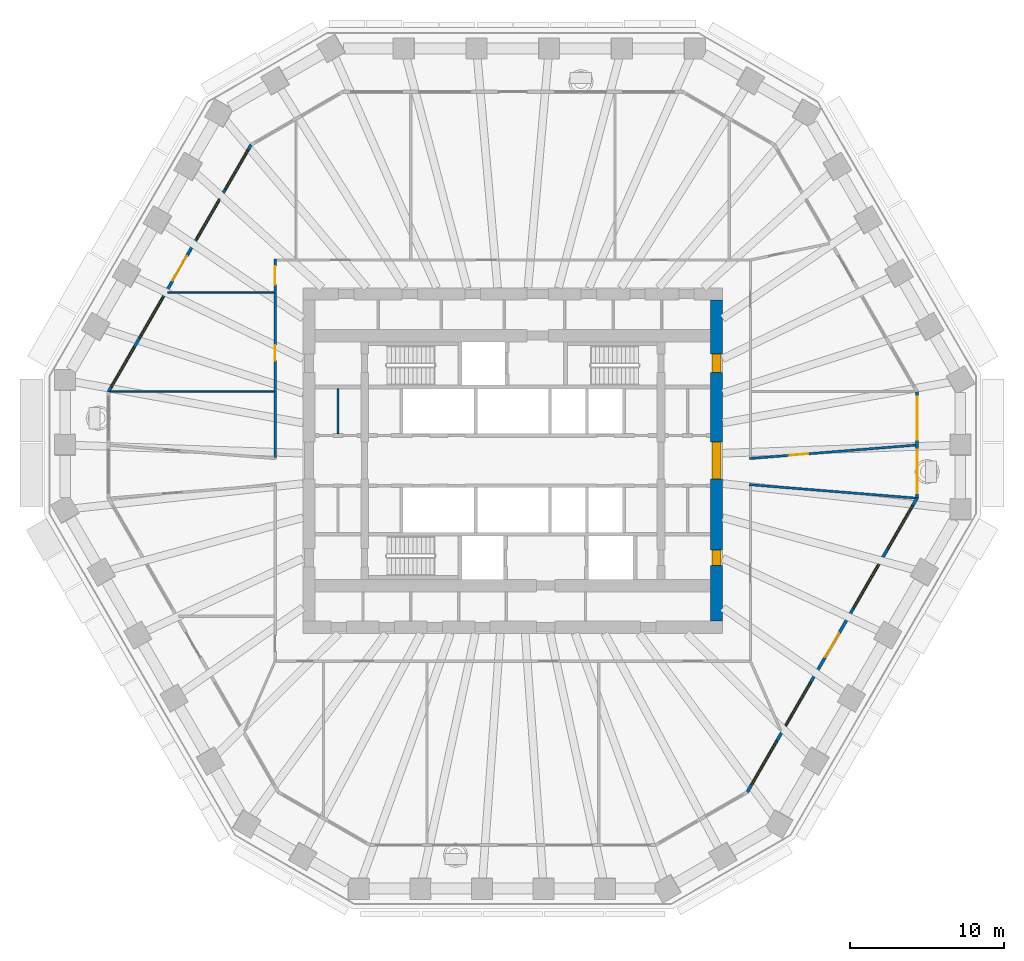
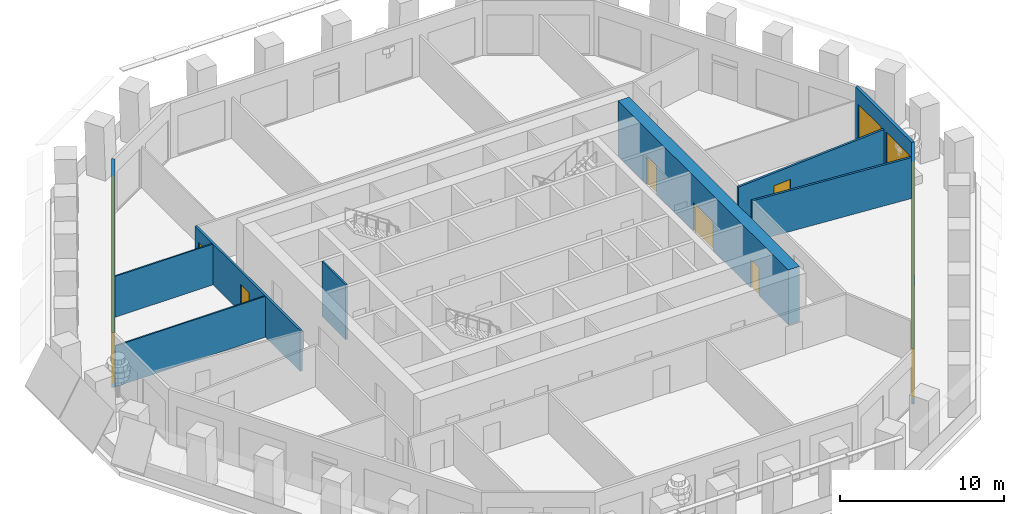
# One storey, part 6 of 13: 12 windows, 10 walls, 8 doors, 20 openings.
"""IFC4 building model written with IfcOpenShell, lengths in metres."""

from ifc_helpers import new_model, si_unit, direction, frame, frame_2d, origin, place, context, subcontext, project, spatial, polyline, rectangle, outline, extrude, material, layer, layer_set, type_object, element, fill, save


model = new_model("IFC4")

# Units and contexts
model_context = context("Model", 3, precision=1e-05, world=origin(), true_north=direction((0.0, 1.0)))
body_context = subcontext(model_context, "Body", "Model", "MODEL_VIEW")
ifc_project = project(units=[si_unit("LENGTHUNIT", "METRE"), si_unit("AREAUNIT", "SQUARE_METRE"), si_unit("VOLUMEUNIT", "CUBIC_METRE"), si_unit("PLANEANGLEUNIT", "RADIAN"), si_unit("MASSUNIT", "GRAM", prefix="KILO")], contexts=[model_context])

# Site, building, storey
site_placement = place(None, origin())
site = spatial("IfcSite", under=ifc_project, at=site_placement, CompositionType="ELEMENT")
building_placement = place(site_placement, origin())
building = spatial("IfcBuilding", under=site, at=building_placement, Name="Frailejon Research Tower", CompositionType="ELEMENT")
storey_placement = place(building_placement, frame((0.0, 0.0, 113.199951171875)))
storey = spatial("IfcBuildingStorey", under=building, at=storey_placement, Name="L24", CompositionType="ELEMENT", Elevation=113.199951171875)

# Wall
ifc_material_1 = material(Name="Plasterboard on steel studs", Category="steel")
ifc_layer_1 = layer(ifc_material_1, 0.125)
ifc_layer_set_1 = layer_set([ifc_layer_1], Name="Core partition 125")
wall_type_1 = type_object("IfcWallType", Name="Core partition 125", PredefinedType="PARTITIONING", material=ifc_layer_set_1)
wall_1_placement = place(storey_placement, frame((-11.324951171875, 1.75, 0.0), z_axis=(0.0, 0.0, 1.0), x_axis=(0.0, 1.0, 0.0)))
element("IfcWall", 1, at=wall_1_placement, inside=storey, type_object=wall_type_1, Name="Core partition", PredefinedType="PARTITIONING", context=body_context, shape_type="SweptSolid", body=[
    extrude(rectangle(XDim=2.89990234375, YDim=0.125, at=frame_2d((1.449951171875, 0.0))), origin(), (0.0, 0.0, 1.0), 4.10009765625),
])

# Wall, openings, doors
ifc_material_2 = material(Name="Concrete C70/85", Category="concrete")
ifc_layer_2 = layer(ifc_material_2, 0.800048828125)
ifc_layer_set_2 = layer_set([ifc_layer_2], Name="Core shear wall 800 C70/85")
wall_type_2 = type_object("IfcWallType", Name="Core shear wall 800 C70/85", PredefinedType="SHEAR", material=ifc_layer_set_2)
wall_2_placement = place(storey_placement, frame((13.199951171875, -10.39990234375, 0.0), z_axis=(0.0, 0.0, 1.0), x_axis=(0.0, 1.0, 0.0)))
wall_2 = element("IfcWall", 2, at=wall_2_placement, inside=storey, type_object=wall_type_2, Name="Core shear wall", PredefinedType="SHEAR", context=body_context, shape_type="SweptSolid", body=[
    extrude(rectangle(XDim=20.7998046875, YDim=0.800048828125, at=frame_2d((10.39990234375, 0.0))), origin(), (0.0, 0.0, 1.0), 4.10009765625),
])
opening_1_placement = place(wall_2_placement, frame((9.199951171875, 0.0, 0.0)))
opening_1 = element("IfcOpeningElement", 3, at=opening_1_placement, cuts=wall_2, Name="Opening D2", PredefinedType="OPENING", context=body_context, shape_type="SweptSolid", body=[
    extrude(rectangle(XDim=2.39990234375, YDim=2.10009765625, at=frame_2d((1.199951171875, 1.050048828125))), frame((0.0, 0.409912109375, 0.0), z_axis=(0.0, -1.0, 0.0), x_axis=(1.0, 0.0, 0.0)), (0.0, 0.0, 1.0), 0.820068359375),
])
opening_2_placement = place(wall_2_placement, frame((16.10009765625, 0.0, 0.0)))
opening_2 = element("IfcOpeningElement", 4, at=opening_2_placement, cuts=wall_2, Name="Opening D7", PredefinedType="OPENING", context=body_context, shape_type="SweptSolid", body=[
    extrude(rectangle(XDim=1.199951171875, YDim=2.10009765625, at=frame_2d((0.60009765625, 1.050048828125))), frame((0.0, 0.409912109375, 0.0), z_axis=(0.0, -1.0, 0.0), x_axis=(1.0, 0.0, 0.0)), (0.0, 0.0, 1.0), 0.820068359375),
])
opening_3_placement = place(wall_2_placement, frame((3.60009765625, 0.0, 0.0)))
opening_3 = element("IfcOpeningElement", 5, at=opening_3_placement, cuts=wall_2, Name="Opening D4", PredefinedType="OPENING", context=body_context, shape_type="SweptSolid", body=[
    extrude(rectangle(XDim=1.0, YDim=2.10009765625, at=frame_2d((0.5, 1.050048828125))), frame((0.0, 0.409912109375, 0.0), z_axis=(0.0, -1.0, 0.0), x_axis=(1.0, 0.0, 0.0)), (0.0, 0.0, 1.0), 0.820068359375),
])
ifc_material_3 = material(Name="Steel", Category="steel")
door_type_1 = type_object("IfcDoorType", Name="Lobby double door", OperationType="DOUBLE_DOOR_SINGLE_SWING", PredefinedType="DOOR", material=ifc_material_3)
door_1_placement = place(opening_1_placement, origin())
door_1 = element("IfcDoor", 6, at=door_1_placement, inside=storey, type_object=door_type_1, Name="Lobby door", OperationType="DOUBLE_DOOR_SINGLE_SWING", OverallHeight=2.10009765625, OverallWidth=2.39990234375, PredefinedType="DOOR", context=body_context, shape_type="SweptSolid", body=[
    extrude(rectangle(XDim=2.39990234375, YDim=2.10009765625, at=frame_2d((1.199951171875, 1.050048828125))), frame((0.0, 0.300048828125, 0.0), z_axis=(0.0, -1.0, 0.0), x_axis=(1.0, 0.0, 0.0)), (0.0, 0.0, 1.0), 0.60009765625),
])
fill(opening_1, door_1)
ifc_material_4 = material(Name="Steel", Category="steel")
door_type_2 = type_object("IfcDoorType", Name="Service door", OperationType="SINGLE_SWING_LEFT", PredefinedType="DOOR", material=ifc_material_4)
door_2_placement = place(opening_3_placement, origin())
door_2 = element("IfcDoor", 7, at=door_2_placement, inside=storey, type_object=door_type_2, Name="Store door", OperationType="SINGLE_SWING_LEFT", OverallHeight=2.10009765625, OverallWidth=1.0, PredefinedType="DOOR", context=body_context, shape_type="SweptSolid", body=[
    extrude(rectangle(XDim=1.0, YDim=2.10009765625, at=frame_2d((0.5, 1.050048828125))), frame((0.0, 0.300048828125, 0.0), z_axis=(0.0, -1.0, 0.0), x_axis=(1.0, 0.0, 0.0)), (0.0, 0.0, 1.0), 0.60009765625),
])
fill(opening_3, door_2)
ifc_material_5 = material(Name="Steel", Category="steel")
door_type_3 = type_object("IfcDoorType", Name="Stair exit door", OperationType="SINGLE_SWING_LEFT", PredefinedType="DOOR", material=ifc_material_5)
door_3_placement = place(opening_2_placement, origin())
door_3 = element("IfcDoor", 8, at=door_3_placement, inside=storey, type_object=door_type_3, Name="Stair exit door ST3", OperationType="SINGLE_SWING_LEFT", OverallHeight=2.10009765625, OverallWidth=1.199951171875, PredefinedType="DOOR", context=body_context, shape_type="SweptSolid", body=[
    extrude(rectangle(XDim=1.199951171875, YDim=2.10009765625, at=frame_2d((0.60009765625, 1.050048828125))), frame((0.0, 0.300048828125, 0.0), z_axis=(0.0, -1.0, 0.0), x_axis=(1.0, 0.0, 0.0)), (0.0, 0.0, 1.0), 0.60009765625),
])
fill(opening_2, door_3)

ifc_material_6 = material(Name="Gypsum board and masonry partition", Category="masonry")
ifc_layer_3 = layer(ifc_material_6, 0.14990234375)
ifc_layer_set_3 = layer_set([ifc_layer_3], Name="Corridor wall EI 60, gypsum on steel studs 150")
wall_type_3 = type_object("IfcWallType", Name="Corridor wall EI 60, gypsum on steel studs 150", PredefinedType="PARTITIONING", material=ifc_layer_set_3)
wall_3_placement = place(storey_placement, frame((-15.39990234375, 0.211181640625, 0.0), z_axis=(0.0, 0.0, 1.0), x_axis=(0.0, 1.0, 0.0)))
wall_3 = element("IfcWall", 9, at=wall_3_placement, inside=storey, type_object=wall_type_3, Name="T:IW:L24:005", PredefinedType="PARTITIONING", context=body_context, shape_type="SweptSolid", body=[
    extrude(rectangle(XDim=12.86376953125, YDim=0.14990234375, at=frame_2d((6.431884765625, 0.0))), origin(), (0.0, 0.0, 1.0), 3.050048828125),
])
opening_4_placement = place(wall_3_placement, frame((11.189697265625, 0.0, 0.0)))
opening_4 = element("IfcOpeningElement", 10, at=opening_4_placement, cuts=wall_3, Name="Opening D1605", PredefinedType="OPENING", context=body_context, shape_type="SweptSolid", body=[
    extrude(rectangle(XDim=1.199951171875, YDim=2.10009765625, at=frame_2d((0.60009765625, 1.050048828125))), frame((0.0, 0.0849609375, 0.0), z_axis=(0.0, -1.0, 0.0), x_axis=(1.0, 0.0, 0.0)), (0.0, 0.0, 1.0), 0.169921875),
])
opening_5_placement = place(wall_3_placement, frame((6.273681640625, 0.0, 0.0)))
opening_5 = element("IfcOpeningElement", 11, at=opening_5_placement, cuts=wall_3, Name="Opening D1606", PredefinedType="OPENING", context=body_context, shape_type="SweptSolid", body=[
    extrude(rectangle(XDim=1.0, YDim=2.10009765625, at=frame_2d((0.5, 1.050048828125))), frame((0.0, 0.0849609375, 0.0), z_axis=(0.0, -1.0, 0.0), x_axis=(1.0, 0.0, 0.0)), (0.0, 0.0, 1.0), 0.169921875),
])
ifc_material_7 = material(Name="Timber door leaf", Category="wood")
door_type_4 = type_object("IfcDoorType", Name="Door single leaf, timber, steel frame 1000", OperationType="NOTDEFINED", PredefinedType="DOOR", material=ifc_material_7)
door_4_placement = place(opening_5_placement, origin())
door_4 = element("IfcDoor", 12, at=door_4_placement, inside=storey, type_object=door_type_4, Name="D1606", OperationType="SINGLE_SWING_RIGHT", OverallHeight=2.10009765625, OverallWidth=1.0, PredefinedType="DOOR", context=body_context, shape_type="SweptSolid", body=[
    extrude(rectangle(XDim=1.0, YDim=2.10009765625, at=frame_2d((0.5, 1.050048828125))), frame((0.0, 0.02490234375, 0.0), z_axis=(0.0, -1.0, 0.0), x_axis=(1.0, 0.0, 0.0)), (0.0, 0.0, 1.0), 0.050048828125),
])
fill(opening_5, door_4)
ifc_material_8 = material(Name="Timber door leaf", Category="wood")
door_type_5 = type_object("IfcDoorType", Name="Door single leaf, timber, steel frame 1200", OperationType="NOTDEFINED", PredefinedType="DOOR", material=ifc_material_8)
door_5_placement = place(opening_4_placement, origin())
door_5 = element("IfcDoor", 13, at=door_5_placement, inside=storey, type_object=door_type_5, Name="D1605", OperationType="DOUBLE_DOOR_SINGLE_SWING", OverallHeight=2.10009765625, OverallWidth=1.199951171875, PredefinedType="DOOR", context=body_context, shape_type="SweptSolid", body=[
    extrude(rectangle(XDim=1.199951171875, YDim=2.10009765625, at=frame_2d((0.60009765625, 1.050048828125))), frame((0.0, 0.02490234375, 0.0), z_axis=(0.0, -1.0, 0.0), x_axis=(1.0, 0.0, 0.0)), (0.0, 0.0, 1.0), 0.050048828125),
])
fill(opening_4, door_5)

# Wall, opening, door
wall_4_placement = place(storey_placement, frame((15.3251953125, 0.130126953125, 0.0), z_axis=(0.0, 0.0, 1.0), x_axis=(0.996742849111, 0.08064547567, 0.0)))
wall_4 = element("IfcWall", 14, at=wall_4_placement, inside=storey, type_object=wall_type_3, Name="T:IW:L24:009", PredefinedType="PARTITIONING", context=body_context, shape_type="SweptSolid", body=[
    extrude(rectangle(XDim=10.810546875, YDim=0.14990234375, at=frame_2d((5.4052734375, 0.0))), origin(), (0.0, 0.0, 1.0), 3.050048828125),
])
opening_6_placement = place(wall_4_placement, frame((2.6337890625, 0.0, 0.0)))
opening_6 = element("IfcOpeningElement", 15, at=opening_6_placement, cuts=wall_4, Name="Opening D1599", PredefinedType="OPENING", context=body_context, shape_type="SweptSolid", body=[
    extrude(rectangle(XDim=1.199951171875, YDim=2.10009765625, at=frame_2d((0.60009765625, 1.050048828125))), frame((0.0, 0.0849609375, 0.0), z_axis=(0.0, -1.0, 0.0), x_axis=(1.0, 0.0, 0.0)), (0.0, 0.0, 1.0), 0.169921875),
])
door_6_placement = place(opening_6_placement, origin())
door_6 = element("IfcDoor", 16, at=door_6_placement, inside=storey, type_object=door_type_5, Name="D1599", OperationType="DOUBLE_DOOR_SINGLE_SWING", OverallHeight=2.10009765625, OverallWidth=1.199951171875, PredefinedType="DOOR", context=body_context, shape_type="SweptSolid", body=[
    extrude(rectangle(XDim=1.199951171875, YDim=2.10009765625, at=frame_2d((0.60009765625, 1.050048828125))), frame((0.0, 0.02490234375, 0.0), z_axis=(0.0, -1.0, 0.0), x_axis=(1.0, 0.0, 0.0)), (0.0, 0.0, 1.0), 0.050048828125),
])
fill(opening_6, door_6)

# Walls
wall_5_placement = place(storey_placement, frame((15.3251953125, -1.557861328125, 0.0), z_axis=(0.0, 0.0, 1.0), x_axis=(0.996743219483, -0.080640897899, 0.0)))
element("IfcWall", 17, at=wall_5_placement, inside=storey, type_object=wall_type_3, Name="T:IW:L24:010", PredefinedType="PARTITIONING", context=body_context, shape_type="SweptSolid", body=[
    extrude(rectangle(XDim=10.7900390625, YDim=0.14990234375, at=frame_2d((5.39501953125, 0.0))), origin(), (0.0, 0.0, 1.0), 3.050048828125),
])
ifc_material_9 = material(Name="Gypsum board and masonry partition", Category="masonry")
ifc_layer_4 = layer(ifc_material_9, 0.10009765625)
ifc_layer_set_4 = layer_set([ifc_layer_4], Name="Partition, gypsum on steel studs 100")
wall_type_4 = type_object("IfcWallType", Name="Partition, gypsum on steel studs 100", PredefinedType="PARTITIONING", material=ifc_layer_set_4)
wall_6_placement = place(storey_placement, frame((-26.069580078125, 4.482421875, 0.0), z_axis=(0.0, 0.0, 1.0), x_axis=(1.0, 0.0, 0.0)))
element("IfcWall", 18, at=wall_6_placement, inside=storey, type_object=wall_type_4, Name="T:IW:L24:020", PredefinedType="PARTITIONING", context=body_context, shape_type="SweptSolid", body=[
    extrude(rectangle(XDim=10.594482421875, YDim=0.10009765625, at=frame_2d((5.29736328125, 0.0))), origin(), (0.0, 0.0, 1.0), 3.050048828125),
])
wall_7_placement = place(storey_placement, frame((-22.3623046875, 10.90380859375, 0.0), z_axis=(0.0, 0.0, 1.0), x_axis=(1.0, 0.0, 0.0)))
element("IfcWall", 19, at=wall_7_placement, inside=storey, type_object=wall_type_4, Name="T:IW:L24:023", PredefinedType="PARTITIONING", context=body_context, shape_type="SweptSolid", body=[
    extrude(rectangle(XDim=6.88720703125, YDim=0.10009765625, at=frame_2d((3.443603515625, 0.0))), origin(), (0.0, 0.0, 1.0), 3.050048828125),
])

# Wall, openings, windows
ifc_material_10 = material(Name="Concrete C40/50 precast window wall panel", Category="concrete")
ifc_layer_5 = layer(ifc_material_10, 0.199951171875)
ifc_layer_set_5 = layer_set([ifc_layer_5], Name="Window wall 200")
wall_type_5 = type_object("IfcWallType", Name="Window wall 200", PredefinedType="SOLIDWALL", material=ifc_layer_set_5)
wall_8_placement = place(storey_placement, frame((26.20068359375, -2.419189453125, 0.0), z_axis=(0.0, 0.0, 1.0), x_axis=(0.0, 1.0, 0.0)))
wall_8 = element("IfcWall", 20, at=wall_8_placement, inside=storey, type_object=wall_type_5, Name="Exterior wall L24", PredefinedType="SOLIDWALL", context=body_context, shape_type="SweptSolid", body=[
    extrude(outline(polyline([(-0.02685546875, -0.10009765625), (1.1279296875, -0.10009765625), (2.28271484375, -0.10009765625), (3.4375, -0.10009765625), (4.592041015625, -0.10009765625), (5.746826171875, -0.10009765625), (6.901611328125, -0.10009765625), (6.847900390625, 0.10009765625), (5.7109375, 0.10009765625), (4.57421875, 0.10009765625), (3.4375, 0.10009765625), (2.300537109375, 0.10009765625), (1.16357421875, 0.10009765625), (0.02685546875, 0.10009765625), (-0.02685546875, -0.10009765625)])), origin(), (0.0, 0.0, 1.0), 4.10009765625),
])
opening_7_placement = place(wall_8_placement, frame((0.318603515625, 0.0, 0.10009765625)))
opening_7 = element("IfcOpeningElement", 21, at=opening_7_placement, cuts=wall_8, Name="Opening W3", PredefinedType="OPENING", context=body_context, shape_type="SweptSolid", body=[
    extrude(rectangle(XDim=2.800048828125, YDim=2.89990234375, at=frame_2d((1.39990234375, 1.449951171875))), frame((0.0, 0.10986328125, 0.0), z_axis=(0.0, -1.0, 0.0), x_axis=(1.0, 0.0, 0.0)), (0.0, 0.0, 1.0), 0.219970703125),
])
opening_8_placement = place(wall_8_placement, frame((3.756103515625, 0.0, 0.10009765625)))
opening_8 = element("IfcOpeningElement", 22, at=opening_8_placement, cuts=wall_8, Name="Opening W3", PredefinedType="OPENING", context=body_context, shape_type="SweptSolid", body=[
    extrude(rectangle(XDim=2.800048828125, YDim=2.89990234375, at=frame_2d((1.39990234375, 1.449951171875))), frame((0.0, 0.10986328125, 0.0), z_axis=(0.0, -1.0, 0.0), x_axis=(1.0, 0.0, 0.0)), (0.0, 0.0, 1.0), 0.219970703125),
])
ifc_material_11 = material(Name="Aluminium framed double glazing", Category="aluminium")
window_type_1 = type_object("IfcWindowType", Name="Window 2800x2900", PartitioningType="SINGLE_PANEL", PredefinedType="WINDOW", material=ifc_material_11)
window_1_placement = place(opening_7_placement, origin())
window_1 = element("IfcWindow", 23, at=window_1_placement, inside=storey, type_object=window_type_1, Name="Window L24", OverallHeight=2.89990234375, OverallWidth=2.800048828125, PartitioningType="SINGLE_PANEL", PredefinedType="WINDOW", context=body_context, shape_type="SweptSolid", body=[
    extrude(rectangle(XDim=2.800048828125, YDim=2.89990234375, at=frame_2d((1.39990234375, 1.449951171875))), frame((0.0, 0.030029296875, 0.0), z_axis=(0.0, -1.0, 0.0), x_axis=(1.0, 0.0, 0.0)), (0.0, 0.0, 1.0), 0.06005859375),
])
fill(opening_7, window_1)
window_2_placement = place(opening_8_placement, origin())
window_2 = element("IfcWindow", 24, at=window_2_placement, inside=storey, type_object=window_type_1, Name="Window L24", OverallHeight=2.89990234375, OverallWidth=2.800048828125, PartitioningType="SINGLE_PANEL", PredefinedType="WINDOW", context=body_context, shape_type="SweptSolid", body=[
    extrude(rectangle(XDim=2.800048828125, YDim=2.89990234375, at=frame_2d((1.39990234375, 1.449951171875))), frame((0.0, 0.030029296875, 0.0), z_axis=(0.0, -1.0, 0.0), x_axis=(1.0, 0.0, 0.0)), (0.0, 0.0, 1.0), 0.06005859375),
])
fill(opening_8, window_2)

# Wall, openings, door, windows
wall_9_placement = place(storey_placement, frame((-16.958984375, 20.462646484375, 0.0), z_axis=(0.0, 0.0, 1.0), x_axis=(-0.500000293238, -0.866025234483, 0.0)))
wall_9 = element("IfcWall", 25, at=wall_9_placement, inside=storey, type_object=wall_type_5, Name="Exterior wall L24", PredefinedType="SOLIDWALL", context=body_context, shape_type="SweptSolid", body=[
    extrude(outline(polyline([(-0.02685546875, -0.10009765625), (1.0029296875, -0.10009765625), (2.03271484375, -0.10009765625), (3.062744140625, -0.10009765625), (4.092529296875, -0.10009765625), (5.122314453125, -0.10009765625), (6.152099609375, -0.10009765625), (7.18212890625, -0.10009765625), (8.2119140625, -0.10009765625), (9.24169921875, -0.10009765625), (10.271484375, -0.10009765625), (11.30126953125, -0.10009765625), (12.331298828125, -0.10009765625), (13.361083984375, -0.10009765625), (14.390869140625, -0.10009765625), (15.420654296875, -0.10009765625), (16.45068359375, -0.10009765625), (17.48046875, -0.10009765625), (18.51025390625, -0.10009765625), (18.45654296875, 0.10009765625), (17.4326171875, 0.10009765625), (16.40869140625, 0.10009765625), (15.385009765625, 0.10009765625), (14.361083984375, 0.10009765625), (13.337158203125, 0.10009765625), (12.313232421875, 0.10009765625), (11.28955078125, 0.10009765625), (10.265625, 0.10009765625), (9.24169921875, 0.10009765625), (8.2177734375, 0.10009765625), (7.19384765625, 0.10009765625), (6.170166015625, 0.10009765625), (5.146240234375, 0.10009765625), (4.122314453125, 0.10009765625), (3.098388671875, 0.10009765625), (2.07470703125, 0.10009765625), (1.05078125, 0.10009765625), (0.02685546875, 0.10009765625), (-0.02685546875, -0.10009765625)])), origin(), (0.0, 0.0, 1.0), 4.10009765625),
])
opening_9_placement = place(wall_9_placement, frame((0.348388671875, 0.0, 0.10009765625)))
opening_9 = element("IfcOpeningElement", 26, at=opening_9_placement, cuts=wall_9, Name="Opening W4", PredefinedType="OPENING", context=body_context, shape_type="SweptSolid", body=[
    extrude(rectangle(XDim=3.0, YDim=2.89990234375, at=frame_2d((1.5, 1.449951171875))), frame((0.0, 0.10986328125, 0.0), z_axis=(0.0, -1.0, 0.0), x_axis=(1.0, 0.0, 0.0)), (0.0, 0.0, 1.0), 0.219970703125),
])
opening_10_placement = place(wall_9_placement, frame((4.044921875, 0.0, 0.10009765625)))
opening_10 = element("IfcOpeningElement", 27, at=opening_10_placement, cuts=wall_9, Name="Opening W4", PredefinedType="OPENING", context=body_context, shape_type="SweptSolid", body=[
    extrude(rectangle(XDim=3.0, YDim=2.89990234375, at=frame_2d((1.5, 1.449951171875))), frame((0.0, 0.10986328125, 0.0), z_axis=(0.0, -1.0, 0.0), x_axis=(1.0, 0.0, 0.0)), (0.0, 0.0, 1.0), 0.219970703125),
])
opening_11_placement = place(wall_9_placement, frame((8.341796875, 0.0, 0.0)))
opening_11 = element("IfcOpeningElement", 28, at=opening_11_placement, cuts=wall_9, Name="Opening LG24-3", PredefinedType="OPENING", context=body_context, shape_type="SweptSolid", body=[
    extrude(rectangle(XDim=1.800048828125, YDim=2.39990234375, at=frame_2d((0.89990234375, 1.199951171875))), frame((0.0, 0.10986328125, 0.0), z_axis=(0.0, -1.0, 0.0), x_axis=(1.0, 0.0, 0.0)), (0.0, 0.0, 1.0), 0.219970703125),
])
opening_12_placement = place(wall_9_placement, frame((8.341796875, 0.0, 2.550048828125)))
opening_12 = element("IfcOpeningElement", 29, at=opening_12_placement, cuts=wall_9, Name="Opening W1", PredefinedType="OPENING", context=body_context, shape_type="SweptSolid", body=[
    extrude(rectangle(XDim=1.800048828125, YDim=0.449951171875, at=frame_2d((0.89990234375, 0.22509765625))), frame((0.0, 0.10986328125, 0.0), z_axis=(0.0, -1.0, 0.0), x_axis=(1.0, 0.0, 0.0)), (0.0, 0.0, 1.0), 0.219970703125),
])
opening_13_placement = place(wall_9_placement, frame((11.4384765625, 0.0, 0.10009765625)))
opening_13 = element("IfcOpeningElement", 30, at=opening_13_placement, cuts=wall_9, Name="Opening W4", PredefinedType="OPENING", context=body_context, shape_type="SweptSolid", body=[
    extrude(rectangle(XDim=3.0, YDim=2.89990234375, at=frame_2d((1.5, 1.449951171875))), frame((0.0, 0.10986328125, 0.0), z_axis=(0.0, -1.0, 0.0), x_axis=(1.0, 0.0, 0.0)), (0.0, 0.0, 1.0), 0.219970703125),
])
opening_14_placement = place(wall_9_placement, frame((15.135009765625, 0.0, 0.10009765625)))
opening_14 = element("IfcOpeningElement", 31, at=opening_14_placement, cuts=wall_9, Name="Opening W4", PredefinedType="OPENING", context=body_context, shape_type="SweptSolid", body=[
    extrude(rectangle(XDim=3.0, YDim=2.89990234375, at=frame_2d((1.5, 1.449951171875))), frame((0.0, 0.10986328125, 0.0), z_axis=(0.0, -1.0, 0.0), x_axis=(1.0, 0.0, 0.0)), (0.0, 0.0, 1.0), 0.219970703125),
])
ifc_material_12 = material(Name="Aluminium framed glazed door leaf", Category="aluminium")
door_type_6 = type_object("IfcDoorType", Name="Loggia door 1800x2400", OperationType="DOUBLE_DOOR_SINGLE_SWING", PredefinedType="DOOR", material=ifc_material_12)
door_7_placement = place(opening_11_placement, origin())
door_7 = element("IfcDoor", 32, at=door_7_placement, inside=storey, type_object=door_type_6, Name="Door LG24-3", OperationType="DOUBLE_DOOR_SINGLE_SWING", OverallHeight=2.39990234375, OverallWidth=1.800048828125, PredefinedType="DOOR", context=body_context, shape_type="SweptSolid", body=[
    extrude(rectangle(XDim=1.800048828125, YDim=2.39990234375, at=frame_2d((0.89990234375, 1.199951171875))), frame((0.0, 0.02490234375, 0.0), z_axis=(0.0, -1.0, 0.0), x_axis=(1.0, 0.0, 0.0)), (0.0, 0.0, 1.0), 0.050048828125),
])
fill(opening_11, door_7)
ifc_material_13 = material(Name="Aluminium framed double glazing", Category="aluminium")
window_type_2 = type_object("IfcWindowType", Name="Window 1800x450", PartitioningType="SINGLE_PANEL", PredefinedType="WINDOW", material=ifc_material_13)
window_3_placement = place(opening_12_placement, origin())
window_3 = element("IfcWindow", 33, at=window_3_placement, inside=storey, type_object=window_type_2, Name="Window L24", OverallHeight=0.449951171875, OverallWidth=1.800048828125, PartitioningType="SINGLE_PANEL", PredefinedType="WINDOW", context=body_context, shape_type="SweptSolid", body=[
    extrude(rectangle(XDim=1.800048828125, YDim=0.449951171875, at=frame_2d((0.89990234375, 0.22509765625))), frame((0.0, 0.030029296875, 0.0), z_axis=(0.0, -1.0, 0.0), x_axis=(1.0, 0.0, 0.0)), (0.0, 0.0, 1.0), 0.06005859375),
])
fill(opening_12, window_3)
ifc_material_14 = material(Name="Aluminium framed double glazing", Category="aluminium")
window_type_3 = type_object("IfcWindowType", Name="Window 3000x2900", PartitioningType="SINGLE_PANEL", PredefinedType="WINDOW", material=ifc_material_14)
window_4_placement = place(opening_9_placement, origin())
window_4 = element("IfcWindow", 34, at=window_4_placement, inside=storey, type_object=window_type_3, Name="Window L24", OverallHeight=2.89990234375, OverallWidth=3.0, PartitioningType="SINGLE_PANEL", PredefinedType="WINDOW", context=body_context, shape_type="SweptSolid", body=[
    extrude(rectangle(XDim=3.0, YDim=2.89990234375, at=frame_2d((1.5, 1.449951171875))), frame((0.0, 0.030029296875, 0.0), z_axis=(0.0, -1.0, 0.0), x_axis=(1.0, 0.0, 0.0)), (0.0, 0.0, 1.0), 0.06005859375),
])
fill(opening_9, window_4)
window_5_placement = place(opening_10_placement, origin())
window_5 = element("IfcWindow", 35, at=window_5_placement, inside=storey, type_object=window_type_3, Name="Window L24", OverallHeight=2.89990234375, OverallWidth=3.0, PartitioningType="SINGLE_PANEL", PredefinedType="WINDOW", context=body_context, shape_type="SweptSolid", body=[
    extrude(rectangle(XDim=3.0, YDim=2.89990234375, at=frame_2d((1.5, 1.449951171875))), frame((0.0, 0.030029296875, 0.0), z_axis=(0.0, -1.0, 0.0), x_axis=(1.0, 0.0, 0.0)), (0.0, 0.0, 1.0), 0.06005859375),
])
fill(opening_10, window_5)
window_6_placement = place(opening_13_placement, origin())
window_6 = element("IfcWindow", 36, at=window_6_placement, inside=storey, type_object=window_type_3, Name="Window L24", OverallHeight=2.89990234375, OverallWidth=3.0, PartitioningType="SINGLE_PANEL", PredefinedType="WINDOW", context=body_context, shape_type="SweptSolid", body=[
    extrude(rectangle(XDim=3.0, YDim=2.89990234375, at=frame_2d((1.5, 1.449951171875))), frame((0.0, 0.030029296875, 0.0), z_axis=(0.0, -1.0, 0.0), x_axis=(1.0, 0.0, 0.0)), (0.0, 0.0, 1.0), 0.06005859375),
])
fill(opening_13, window_6)
window_7_placement = place(opening_14_placement, origin())
window_7 = element("IfcWindow", 37, at=window_7_placement, inside=storey, type_object=window_type_3, Name="Window L24", OverallHeight=2.89990234375, OverallWidth=3.0, PartitioningType="SINGLE_PANEL", PredefinedType="WINDOW", context=body_context, shape_type="SweptSolid", body=[
    extrude(rectangle(XDim=3.0, YDim=2.89990234375, at=frame_2d((1.5, 1.449951171875))), frame((0.0, 0.030029296875, 0.0), z_axis=(0.0, -1.0, 0.0), x_axis=(1.0, 0.0, 0.0)), (0.0, 0.0, 1.0), 0.06005859375),
])
fill(opening_14, window_7)

wall_10_placement = place(storey_placement, frame((15.1953125, -21.48095703125, 0.0), z_axis=(0.0, 0.0, 1.0), x_axis=(0.500001855394, 0.86602433257, 0.0)))
wall_10 = element("IfcWall", 38, at=wall_10_placement, inside=storey, type_object=wall_type_5, Name="Exterior wall L24", PredefinedType="SOLIDWALL", context=body_context, shape_type="SweptSolid", body=[
    extrude(outline(polyline([(-0.02685546875, -0.10009765625), (0.97607421875, -0.10009765625), (1.97900390625, -0.10009765625), (2.98193359375, -0.10009765625), (3.98486328125, -0.10009765625), (4.98779296875, -0.10009765625), (5.99072265625, -0.10009765625), (6.99365234375, -0.10009765625), (7.99658203125, -0.10009765625), (8.99951171875, -0.10009765625), (10.00244140625, -0.10009765625), (11.00537109375, -0.10009765625), (12.00830078125, -0.10009765625), (13.01123046875, -0.10009765625), (14.01416015625, -0.10009765625), (15.01708984375, -0.10009765625), (16.02001953125, -0.10009765625), (17.02294921875, -0.10009765625), (18.02587890625, -0.10009765625), (19.02880859375, -0.10009765625), (20.03173828125, -0.10009765625), (21.03466796875, -0.10009765625), (22.03759765625, -0.10009765625), (21.98388671875, 0.10009765625), (20.98583984375, 0.10009765625), (19.98779296875, 0.10009765625), (18.98974609375, 0.10009765625), (17.99169921875, 0.10009765625), (16.99365234375, 0.10009765625), (15.99560546875, 0.10009765625), (14.99755859375, 0.10009765625), (13.99951171875, 0.10009765625), (13.00146484375, 0.10009765625), (12.00341796875, 0.10009765625), (11.00537109375, 0.10009765625), (10.00732421875, 0.10009765625), (9.00927734375, 0.10009765625), (8.01123046875, 0.10009765625), (7.01318359375, 0.10009765625), (6.01513671875, 0.10009765625), (5.01708984375, 0.10009765625), (4.01904296875, 0.10009765625), (3.02099609375, 0.10009765625), (2.02294921875, 0.10009765625), (1.02490234375, 0.10009765625), (0.02685546875, 0.10009765625), (-0.02685546875, -0.10009765625)])), origin(), (0.0, 0.0, 1.0), 4.10009765625),
])
opening_15_placement = place(wall_10_placement, frame((0.551025390625, 0.0, 0.10009765625)))
opening_15 = element("IfcOpeningElement", 39, at=opening_15_placement, cuts=wall_10, Name="Opening W5", PredefinedType="OPENING", context=body_context, shape_type="SweptSolid", body=[
    extrude(rectangle(XDim=3.300048828125, YDim=2.89990234375, at=frame_2d((1.64990234375, 1.449951171875))), frame((0.0, 0.10986328125, 0.0), z_axis=(0.0, -1.0, 0.0), x_axis=(1.0, 0.0, 0.0)), (0.0, 0.0, 1.0), 0.219970703125),
])
opening_16_placement = place(wall_10_placement, frame((4.953125, 0.0, 0.10009765625)))
opening_16 = element("IfcOpeningElement", 40, at=opening_16_placement, cuts=wall_10, Name="Opening W5", PredefinedType="OPENING", context=body_context, shape_type="SweptSolid", body=[
    extrude(rectangle(XDim=3.300048828125, YDim=2.89990234375, at=frame_2d((1.64990234375, 1.449951171875))), frame((0.0, 0.10986328125, 0.0), z_axis=(0.0, -1.0, 0.0), x_axis=(1.0, 0.0, 0.0)), (0.0, 0.0, 1.0), 0.219970703125),
])
opening_17_placement = place(wall_10_placement, frame((10.105224609375, 0.0, 0.0)))
opening_17 = element("IfcOpeningElement", 41, at=opening_17_placement, cuts=wall_10, Name="Opening LG24-6", PredefinedType="OPENING", context=body_context, shape_type="SweptSolid", body=[
    extrude(rectangle(XDim=1.800048828125, YDim=2.39990234375, at=frame_2d((0.89990234375, 1.199951171875))), frame((0.0, 0.10986328125, 0.0), z_axis=(0.0, -1.0, 0.0), x_axis=(1.0, 0.0, 0.0)), (0.0, 0.0, 1.0), 0.219970703125),
])
opening_18_placement = place(wall_10_placement, frame((10.105224609375, 0.0, 2.550048828125)))
opening_18 = element("IfcOpeningElement", 42, at=opening_18_placement, cuts=wall_10, Name="Opening W1", PredefinedType="OPENING", context=body_context, shape_type="SweptSolid", body=[
    extrude(rectangle(XDim=1.800048828125, YDim=0.449951171875, at=frame_2d((0.89990234375, 0.22509765625))), frame((0.0, 0.10986328125, 0.0), z_axis=(0.0, -1.0, 0.0), x_axis=(1.0, 0.0, 0.0)), (0.0, 0.0, 1.0), 0.219970703125),
])
opening_19_placement = place(wall_10_placement, frame((13.757568359375, 0.0, 0.10009765625)))
opening_19 = element("IfcOpeningElement", 43, at=opening_19_placement, cuts=wall_10, Name="Opening W5", PredefinedType="OPENING", context=body_context, shape_type="SweptSolid", body=[
    extrude(rectangle(XDim=3.300048828125, YDim=2.89990234375, at=frame_2d((1.64990234375, 1.449951171875))), frame((0.0, 0.10986328125, 0.0), z_axis=(0.0, -1.0, 0.0), x_axis=(1.0, 0.0, 0.0)), (0.0, 0.0, 1.0), 0.219970703125),
])
opening_20_placement = place(wall_10_placement, frame((18.15966796875, 0.0, 0.10009765625)))
opening_20 = element("IfcOpeningElement", 44, at=opening_20_placement, cuts=wall_10, Name="Opening W5", PredefinedType="OPENING", context=body_context, shape_type="SweptSolid", body=[
    extrude(rectangle(XDim=3.300048828125, YDim=2.89990234375, at=frame_2d((1.64990234375, 1.449951171875))), frame((0.0, 0.10986328125, 0.0), z_axis=(0.0, -1.0, 0.0), x_axis=(1.0, 0.0, 0.0)), (0.0, 0.0, 1.0), 0.219970703125),
])
door_8_placement = place(opening_17_placement, origin())
door_8 = element("IfcDoor", 45, at=door_8_placement, inside=storey, type_object=door_type_6, Name="Door LG24-6", OperationType="DOUBLE_DOOR_SINGLE_SWING", OverallHeight=2.39990234375, OverallWidth=1.800048828125, PredefinedType="DOOR", context=body_context, shape_type="SweptSolid", body=[
    extrude(rectangle(XDim=1.800048828125, YDim=2.39990234375, at=frame_2d((0.89990234375, 1.199951171875))), frame((0.0, 0.02490234375, 0.0), z_axis=(0.0, -1.0, 0.0), x_axis=(1.0, 0.0, 0.0)), (0.0, 0.0, 1.0), 0.050048828125),
])
fill(opening_17, door_8)
window_8_placement = place(opening_18_placement, origin())
window_8 = element("IfcWindow", 46, at=window_8_placement, inside=storey, type_object=window_type_2, Name="Window L24", OverallHeight=0.449951171875, OverallWidth=1.800048828125, PartitioningType="SINGLE_PANEL", PredefinedType="WINDOW", context=body_context, shape_type="SweptSolid", body=[
    extrude(rectangle(XDim=1.800048828125, YDim=0.449951171875, at=frame_2d((0.89990234375, 0.22509765625))), frame((0.0, 0.030029296875, 0.0), z_axis=(0.0, -1.0, 0.0), x_axis=(1.0, 0.0, 0.0)), (0.0, 0.0, 1.0), 0.06005859375),
])
fill(opening_18, window_8)
ifc_material_15 = material(Name="Aluminium framed double glazing", Category="aluminium")
window_type_4 = type_object("IfcWindowType", Name="Window 3300x2900", PartitioningType="SINGLE_PANEL", PredefinedType="WINDOW", material=ifc_material_15)
window_9_placement = place(opening_15_placement, origin())
window_9 = element("IfcWindow", 47, at=window_9_placement, inside=storey, type_object=window_type_4, Name="Window L24", OverallHeight=2.89990234375, OverallWidth=3.300048828125, PartitioningType="SINGLE_PANEL", PredefinedType="WINDOW", context=body_context, shape_type="SweptSolid", body=[
    extrude(rectangle(XDim=3.300048828125, YDim=2.89990234375, at=frame_2d((1.64990234375, 1.449951171875))), frame((0.0, 0.030029296875, 0.0), z_axis=(0.0, -1.0, 0.0), x_axis=(1.0, 0.0, 0.0)), (0.0, 0.0, 1.0), 0.06005859375),
])
fill(opening_15, window_9)
window_10_placement = place(opening_16_placement, origin())
window_10 = element("IfcWindow", 48, at=window_10_placement, inside=storey, type_object=window_type_4, Name="Window L24", OverallHeight=2.89990234375, OverallWidth=3.300048828125, PartitioningType="SINGLE_PANEL", PredefinedType="WINDOW", context=body_context, shape_type="SweptSolid", body=[
    extrude(rectangle(XDim=3.300048828125, YDim=2.89990234375, at=frame_2d((1.64990234375, 1.449951171875))), frame((0.0, 0.030029296875, 0.0), z_axis=(0.0, -1.0, 0.0), x_axis=(1.0, 0.0, 0.0)), (0.0, 0.0, 1.0), 0.06005859375),
])
fill(opening_16, window_10)
window_11_placement = place(opening_19_placement, origin())
window_11 = element("IfcWindow", 49, at=window_11_placement, inside=storey, type_object=window_type_4, Name="Window L24", OverallHeight=2.89990234375, OverallWidth=3.300048828125, PartitioningType="SINGLE_PANEL", PredefinedType="WINDOW", context=body_context, shape_type="SweptSolid", body=[
    extrude(rectangle(XDim=3.300048828125, YDim=2.89990234375, at=frame_2d((1.64990234375, 1.449951171875))), frame((0.0, 0.030029296875, 0.0), z_axis=(0.0, -1.0, 0.0), x_axis=(1.0, 0.0, 0.0)), (0.0, 0.0, 1.0), 0.06005859375),
])
fill(opening_19, window_11)
window_12_placement = place(opening_20_placement, origin())
window_12 = element("IfcWindow", 50, at=window_12_placement, inside=storey, type_object=window_type_4, Name="Window L24", OverallHeight=2.89990234375, OverallWidth=3.300048828125, PartitioningType="SINGLE_PANEL", PredefinedType="WINDOW", context=body_context, shape_type="SweptSolid", body=[
    extrude(rectangle(XDim=3.300048828125, YDim=2.89990234375, at=frame_2d((1.64990234375, 1.449951171875))), frame((0.0, 0.030029296875, 0.0), z_axis=(0.0, -1.0, 0.0), x_axis=(1.0, 0.0, 0.0)), (0.0, 0.0, 1.0), 0.06005859375),
])
fill(opening_20, window_12)

save(model, "model.ifc")
